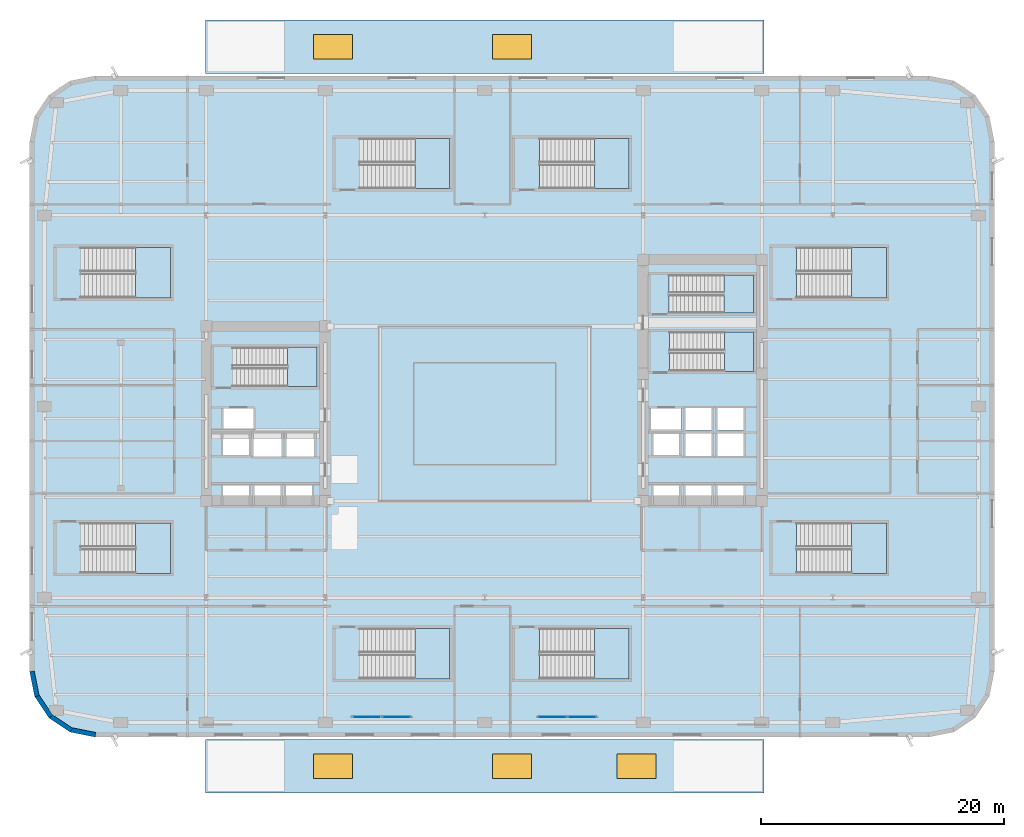
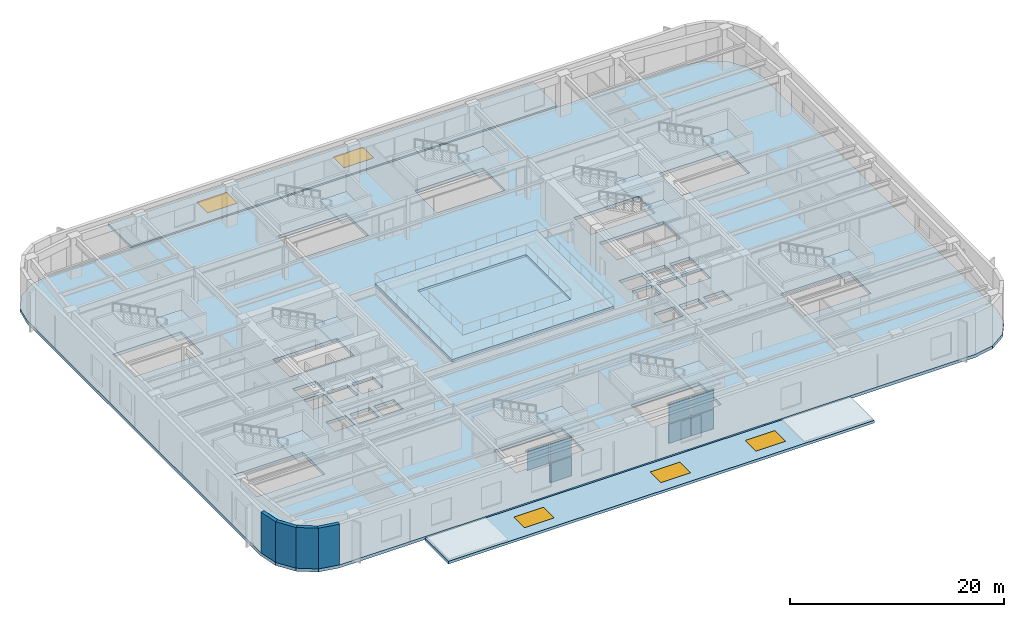
# One storey, part 5 of 24: 15 slabs, 7 plates, 5 windows, 4 walls, 5 openings, 13 elements without a shape of their own.
"""IFC4 building model written with IfcOpenShell, lengths in metres."""

from ifc_helpers import new_model, si_unit, direction, frame, frame_2d, origin, origin_2d, place, context, subcontext, project, spatial, polyline, rectangle, outline, extrude, material, layer, layer_set, type_object, element, fill, aggregate, save


model = new_model("IFC4")

# Units and contexts
model_context = context("Model", 3, precision=1e-05, world=origin(), true_north=direction((0.0, 1.0)))
body_context = subcontext(model_context, "Body", "Model", "MODEL_VIEW")
ifc_project = project(units=[si_unit("LENGTHUNIT", "METRE"), si_unit("AREAUNIT", "SQUARE_METRE"), si_unit("VOLUMEUNIT", "CUBIC_METRE"), si_unit("PLANEANGLEUNIT", "RADIAN"), si_unit("MASSUNIT", "GRAM", prefix="KILO")], contexts=[model_context])

# Site, building, storey
site_placement = place(None, origin())
site = spatial("IfcSite", under=ifc_project, at=site_placement, CompositionType="ELEMENT")
building_placement = place(site_placement, origin())
building = spatial("IfcBuilding", under=site, at=building_placement, Name="Kolvaren Arena Tower", CompositionType="ELEMENT")
storey_placement = place(building_placement, frame((0.0, 0.0, 8.0)))
storey = spatial("IfcBuildingStorey", under=building, at=storey_placement, Name="L01", CompositionType="ELEMENT", Elevation=8.0)

# Curtain wall, plates
ifc_material_1 = material(Name="Anodised aluminium unitised curtain wall", Category="aluminium")
curtain_wall_type = type_object("IfcCurtainWallType", Name="CW-SYS-02", PredefinedType="USERDEFINED", material=ifc_material_1)
curtain_wall_1_placement = place(storey_placement, origin())
curtain_wall_1 = element("IfcCurtainWall", 1, at=curtain_wall_1_placement, inside=storey, type_object=curtain_wall_type, Name="Arena Concourse Grand Portal Curtain Wall (L01)", ObjectType="UNITISED CURTAIN WALL", PredefinedType="USERDEFINED")
ifc_material_2 = material(Name="Laminated acoustic low-E glazing unit", Category="glass")
ifc_layer_1 = layer(ifc_material_2, 0.052001953125)
ifc_layer_set_1 = layer_set([ifc_layer_1], Name="Laminated acoustic low-E glazing unit")
plate_type = type_object("IfcPlateType", Name="CWP-VIS2", PredefinedType="CURTAIN_PANEL", material=ifc_layer_set_1)
plate_1_placement = place(storey_placement, frame((27.77490234375, 1.64990234375, 2.375), z_axis=(0.0, 0.0, 1.0), x_axis=(1.0, 0.0, 0.0)))
plate_1 = element("IfcPlate", 2, at=plate_1_placement, type_object=plate_type, Name="CW2 panel 1.2", PredefinedType="CURTAIN_PANEL", context=body_context, shape_type="SweptSolid", body=[
    extrude(rectangle(XDim=2.35009765625, YDim=0.052001953125, at=origin_2d()), origin(), (0.0, 0.0, 1.0), 2.175048828125),
])
plate_2_placement = place(storey_placement, frame((30.22509765625, 1.64990234375, 0.10009765625), z_axis=(0.0, 0.0, 1.0), x_axis=(1.0, 0.0, 0.0)))
plate_2 = element("IfcPlate", 3, at=plate_2_placement, type_object=plate_type, Name="CW2 panel 2.1", PredefinedType="CURTAIN_PANEL", context=body_context, shape_type="SweptSolid", body=[
    extrude(rectangle(XDim=2.35009765625, YDim=0.052001953125, at=origin_2d()), origin(), (0.0, 0.0, 1.0), 2.175048828125),
])
plate_3_placement = place(storey_placement, frame((30.22509765625, 1.64990234375, 2.375), z_axis=(0.0, 0.0, 1.0), x_axis=(1.0, 0.0, 0.0)))
plate_3 = element("IfcPlate", 4, at=plate_3_placement, type_object=plate_type, Name="CW2 panel 2.2", PredefinedType="CURTAIN_PANEL", context=body_context, shape_type="SweptSolid", body=[
    extrude(rectangle(XDim=2.35009765625, YDim=0.052001953125, at=origin_2d()), origin(), (0.0, 0.0, 1.0), 2.175048828125),
])
aggregate(curtain_wall_1, [plate_1, plate_2, plate_3])

curtain_wall_2_placement = place(storey_placement, origin())
curtain_wall_2 = element("IfcCurtainWall", 5, at=curtain_wall_2_placement, inside=storey, type_object=curtain_wall_type, Name="Arena Concourse Grand Portal Curtain Wall (L01)", ObjectType="UNITISED CURTAIN WALL", PredefinedType="USERDEFINED")
plate_4_placement = place(storey_placement, frame((43.074951171875, 1.64990234375, 0.10009765625), z_axis=(0.0, 0.0, 1.0), x_axis=(1.0, 0.0, 0.0)))
plate_4 = element("IfcPlate", 6, at=plate_4_placement, type_object=plate_type, Name="CW2 panel 1.1", PredefinedType="CURTAIN_PANEL", context=body_context, shape_type="SweptSolid", body=[
    extrude(rectangle(XDim=2.35009765625, YDim=0.052001953125, at=origin_2d()), origin(), (0.0, 0.0, 1.0), 2.175048828125),
])
plate_5_placement = place(storey_placement, frame((43.074951171875, 1.64990234375, 2.375), z_axis=(0.0, 0.0, 1.0), x_axis=(1.0, 0.0, 0.0)))
plate_5 = element("IfcPlate", 7, at=plate_5_placement, type_object=plate_type, Name="CW2 panel 1.2", PredefinedType="CURTAIN_PANEL", context=body_context, shape_type="SweptSolid", body=[
    extrude(rectangle(XDim=2.35009765625, YDim=0.052001953125, at=origin_2d()), origin(), (0.0, 0.0, 1.0), 2.175048828125),
])
plate_6_placement = place(storey_placement, frame((45.52490234375, 1.64990234375, 0.10009765625), z_axis=(0.0, 0.0, 1.0), x_axis=(1.0, 0.0, 0.0)))
plate_6 = element("IfcPlate", 8, at=plate_6_placement, type_object=plate_type, Name="CW2 panel 2.1", PredefinedType="CURTAIN_PANEL", context=body_context, shape_type="SweptSolid", body=[
    extrude(rectangle(XDim=2.35009765625, YDim=0.052001953125, at=origin_2d()), origin(), (0.0, 0.0, 1.0), 2.175048828125),
])
plate_7_placement = place(storey_placement, frame((45.52490234375, 1.64990234375, 2.375), z_axis=(0.0, 0.0, 1.0), x_axis=(1.0, 0.0, 0.0)))
plate_7 = element("IfcPlate", 9, at=plate_7_placement, type_object=plate_type, Name="CW2 panel 2.2", PredefinedType="CURTAIN_PANEL", context=body_context, shape_type="SweptSolid", body=[
    extrude(rectangle(XDim=2.35009765625, YDim=0.052001953125, at=origin_2d()), origin(), (0.0, 0.0, 1.0), 2.175048828125),
])
aggregate(curtain_wall_2, [plate_4, plate_5, plate_6, plate_7])

# Slab, openings, windows
ifc_material_3 = material(Name="Concrete 45 MPa", Category="concrete")
ifc_layer_2 = layer(ifc_material_3, 0.300048828125)
ifc_layer_set_2 = layer_set([ifc_layer_2], Name="Concrete 45 MPa")
slab_type_1 = type_object("IfcSlabType", Name="ROOF-POD", PredefinedType="ROOF", material=ifc_layer_set_2)
slab_1_placement = place(storey_placement, frame((0.0, 0.0, -0.300048828125)))
slab_1 = element("IfcSlab", 10, at=slab_1_placement, inside=storey, type_object=slab_type_1, Name="L00 South Entrance Canopy Slab", PredefinedType="ROOF", context=body_context, shape_type="SweptSolid", body=[
    extrude(outline(polyline([(14.5, -4.60009765625), (60.5, -4.60009765625), (60.5, -0.199951171875), (14.5, -0.199951171875), (14.5, -4.60009765625)])), origin(), (0.0, 0.0, 1.0), 0.300048828125),
])
opening_1_placement = place(slab_1_placement, frame((25.0, -2.39990234375, 0.0)))
opening_1 = element("IfcOpeningElement", 11, at=opening_1_placement, cuts=slab_1, Name="Opening SK1", PredefinedType="OPENING", context=body_context, shape_type="SweptSolid", body=[
    extrude(rectangle(XDim=3.199951171875, YDim=2.0, at=origin_2d()), origin(), (0.0, 0.0, 1.0), 0.300048828125),
])
opening_2_placement = place(slab_1_placement, frame((39.75, -2.39990234375, 0.0)))
opening_2 = element("IfcOpeningElement", 12, at=opening_2_placement, cuts=slab_1, Name="Opening SK1", PredefinedType="OPENING", context=body_context, shape_type="SweptSolid", body=[
    extrude(rectangle(XDim=3.199951171875, YDim=2.0, at=origin_2d()), origin(), (0.0, 0.0, 1.0), 0.300048828125),
])
opening_3_placement = place(slab_1_placement, frame((50.0, -2.39990234375, 0.0)))
opening_3 = element("IfcOpeningElement", 13, at=opening_3_placement, cuts=slab_1, Name="Opening SK1", PredefinedType="OPENING", context=body_context, shape_type="SweptSolid", body=[
    extrude(rectangle(XDim=3.199951171875, YDim=2.0, at=origin_2d()), origin(), (0.0, 0.0, 1.0), 0.300048828125),
])
ifc_material_4 = material(Name="Thermally broken laminated glass skylight", Category="glass")
window_type = type_object("IfcWindowType", Name="SKY-POD-1", PartitioningType="SINGLE_PANEL", PredefinedType="SKYLIGHT", material=ifc_material_4)
window_1_placement = place(opening_1_placement, frame((0.0, 0.0, 0.25)))
window_1 = element("IfcWindow", 14, at=window_1_placement, inside=storey, type_object=window_type, Name="Laminated Glass Roof Skylight 1", OverallHeight=2.0, OverallWidth=3.199951171875, PartitioningType="SINGLE_PANEL", PredefinedType="SKYLIGHT", context=body_context, shape_type="SweptSolid", body=[
    extrude(rectangle(XDim=3.199951171875, YDim=2.0, at=origin_2d()), origin(), (0.0, 0.0, 1.0), 0.050048828125),
])
fill(opening_1, window_1)
window_2_placement = place(opening_2_placement, frame((0.0, 0.0, 0.25)))
window_2 = element("IfcWindow", 15, at=window_2_placement, inside=storey, type_object=window_type, Name="Laminated Glass Roof Skylight 2", OverallHeight=2.0, OverallWidth=3.199951171875, PartitioningType="SINGLE_PANEL", PredefinedType="SKYLIGHT", context=body_context, shape_type="SweptSolid", body=[
    extrude(rectangle(XDim=3.199951171875, YDim=2.0, at=origin_2d()), origin(), (0.0, 0.0, 1.0), 0.050048828125),
])
fill(opening_2, window_2)
window_3_placement = place(opening_3_placement, frame((0.0, 0.0, 0.25)))
window_3 = element("IfcWindow", 16, at=window_3_placement, inside=storey, type_object=window_type, Name="Laminated Glass Roof Skylight 3", OverallHeight=2.0, OverallWidth=3.199951171875, PartitioningType="SINGLE_PANEL", PredefinedType="SKYLIGHT", context=body_context, shape_type="SweptSolid", body=[
    extrude(rectangle(XDim=3.199951171875, YDim=2.0, at=origin_2d()), origin(), (0.0, 0.0, 1.0), 0.050048828125),
])
fill(opening_3, window_3)

slab_2_placement = place(storey_placement, frame((0.0, 0.0, -0.300048828125)))
slab_2 = element("IfcSlab", 17, at=slab_2_placement, inside=storey, type_object=slab_type_1, Name="L00 North Entrance Canopy Slab", PredefinedType="ROOF", context=body_context, shape_type="SweptSolid", body=[
    extrude(outline(polyline([(14.5, 54.699951171875), (60.5, 54.699951171875), (60.5, 59.10009765625), (14.5, 59.10009765625), (14.5, 54.699951171875)])), origin(), (0.0, 0.0, 1.0), 0.300048828125),
])
opening_4_placement = place(slab_2_placement, frame((25.0, 56.89990234375, 0.0)))
opening_4 = element("IfcOpeningElement", 18, at=opening_4_placement, cuts=slab_2, Name="Opening SK1", PredefinedType="OPENING", context=body_context, shape_type="SweptSolid", body=[
    extrude(rectangle(XDim=3.199951171875, YDim=2.0, at=origin_2d()), origin(), (0.0, 0.0, 1.0), 0.300048828125),
])
opening_5_placement = place(slab_2_placement, frame((39.75, 56.89990234375, 0.0)))
opening_5 = element("IfcOpeningElement", 19, at=opening_5_placement, cuts=slab_2, Name="Opening SK1", PredefinedType="OPENING", context=body_context, shape_type="SweptSolid", body=[
    extrude(rectangle(XDim=3.199951171875, YDim=2.0, at=origin_2d()), origin(), (0.0, 0.0, 1.0), 0.300048828125),
])
window_4_placement = place(opening_4_placement, frame((0.0, 0.0, 0.25)))
window_4 = element("IfcWindow", 20, at=window_4_placement, inside=storey, type_object=window_type, Name="Laminated Glass Roof Skylight 4", OverallHeight=2.0, OverallWidth=3.199951171875, PartitioningType="SINGLE_PANEL", PredefinedType="SKYLIGHT", context=body_context, shape_type="SweptSolid", body=[
    extrude(rectangle(XDim=3.199951171875, YDim=2.0, at=origin_2d()), origin(), (0.0, 0.0, 1.0), 0.050048828125),
])
fill(opening_4, window_4)
window_5_placement = place(opening_5_placement, frame((0.0, 0.0, 0.25)))
window_5 = element("IfcWindow", 21, at=window_5_placement, inside=storey, type_object=window_type, Name="Laminated Glass Roof Skylight 5", OverallHeight=2.0, OverallWidth=3.199951171875, PartitioningType="SINGLE_PANEL", PredefinedType="SKYLIGHT", context=body_context, shape_type="SweptSolid", body=[
    extrude(rectangle(XDim=3.199951171875, YDim=2.0, at=origin_2d()), origin(), (0.0, 0.0, 1.0), 0.050048828125),
])
fill(opening_5, window_5)

# Slabs
ifc_material_5 = material(Name="Concrete 50 MPa", Category="concrete")
ifc_layer_3 = layer(ifc_material_5, 0.35009765625)
ifc_layer_set_3 = layer_set([ifc_layer_3], Name="Concrete 50 MPa")
slab_type_2 = type_object("IfcSlabType", Name="SLAB-ARENA", PredefinedType="FLOOR", material=ifc_layer_set_3)
slab_3_placement = place(storey_placement, frame((0.0, 0.0, -0.35009765625)))
element("IfcSlab", 22, at=slab_3_placement, inside=storey, type_object=slab_type_2, Name="L01 Primary Structural Slab", PredefinedType="FLOOR", context=body_context, shape_type="SweptSolid", body=[
    extrude(outline(polyline([(74.10009765625, 0.0), (76.16650390625, 0.4111328125), (77.91845703125, 1.58154296875), (79.0888671875, 3.33349609375), (79.5, 5.39990234375), (79.5, 49.10009765625), (79.0888671875, 51.16650390625), (77.91845703125, 52.91845703125), (76.16650390625, 54.0888671875), (74.10009765625, 54.5), (5.39990234375, 54.5), (3.33349609375, 54.0888671875), (1.58154296875, 52.91845703125), (0.4111328125, 51.16650390625), (0.0, 49.10009765625), (0.0, 5.39990234375), (0.4111328125, 3.33349609375), (1.58154296875, 1.58154296875), (3.33349609375, 0.4111328125), (5.39990234375, 0.0), (74.10009765625, 0.0)]), holes=[polyline([(27.215087890625, 4.800048828125), (27.215087890625, 8.949951171875), (34.60009765625, 8.949951171875), (34.60009765625, 4.800048828125), (27.215087890625, 4.800048828125)]), polyline([(42.014892578125, 8.949951171875), (49.39990234375, 8.949951171875), (49.39990234375, 4.800048828125), (42.014892578125, 4.800048828125), (42.014892578125, 8.949951171875)]), polyline([(4.215087890625, 17.64990234375), (11.60009765625, 17.64990234375), (11.60009765625, 13.5), (4.215087890625, 13.5), (4.215087890625, 17.64990234375)]), polyline([(63.215087890625, 17.64990234375), (70.60009765625, 17.64990234375), (70.60009765625, 13.5), (63.215087890625, 13.5), (63.215087890625, 17.64990234375)]), polyline([(15.93505859375, 19.0849609375), (15.93505859375, 20.81494140625), (18.06494140625, 20.81494140625), (18.06494140625, 19.0849609375), (15.93505859375, 19.0849609375)]), polyline([(18.534912109375, 20.81494140625), (20.6650390625, 20.81494140625), (20.6650390625, 19.0849609375), (18.534912109375, 19.0849609375), (18.534912109375, 20.81494140625)]), polyline([(21.135009765625, 20.81494140625), (23.264892578125, 20.81494140625), (23.264892578125, 19.0849609375), (21.135009765625, 19.0849609375), (21.135009765625, 20.81494140625)]), polyline([(51.39501953125, 20.81494140625), (53.52490234375, 20.81494140625), (53.52490234375, 19.0849609375), (51.39501953125, 19.0849609375), (51.39501953125, 20.81494140625)]), polyline([(54.054931640625, 20.81494140625), (56.18505859375, 20.81494140625), (56.18505859375, 19.0849609375), (54.054931640625, 19.0849609375), (54.054931640625, 20.81494140625)]), polyline([(56.695068359375, 20.81494140625), (58.824951171875, 20.81494140625), (58.824951171875, 19.0849609375), (56.695068359375, 19.0849609375), (56.695068359375, 20.81494140625)]), polyline([(18.4599609375, 25.06494140625), (20.739990234375, 25.06494140625), (20.739990234375, 23.135009765625), (18.4599609375, 23.135009765625), (18.4599609375, 25.06494140625)]), polyline([(21.159912109375, 25.06494140625), (23.43994140625, 25.06494140625), (23.43994140625, 23.135009765625), (21.159912109375, 23.135009765625), (21.159912109375, 25.06494140625)]), polyline([(54.030029296875, 25.014892578125), (56.2099609375, 25.014892578125), (56.2099609375, 23.18505859375), (54.030029296875, 23.18505859375), (54.030029296875, 25.014892578125)]), polyline([(56.669921875, 23.18505859375), (56.669921875, 25.014892578125), (58.85009765625, 25.014892578125), (58.85009765625, 23.18505859375), (56.669921875, 23.18505859375)]), polyline([(15.93505859375, 23.235107421875), (15.93505859375, 24.965087890625), (18.06494140625, 24.965087890625), (18.06494140625, 23.235107421875), (15.93505859375, 23.235107421875)]), polyline([(51.39501953125, 24.965087890625), (53.52490234375, 24.965087890625), (53.52490234375, 23.235107421875), (51.39501953125, 23.235107421875), (51.39501953125, 24.965087890625)]), polyline([(54.030029296875, 27.114990234375), (56.2099609375, 27.114990234375), (56.2099609375, 25.284912109375), (54.030029296875, 25.284912109375), (54.030029296875, 27.114990234375)]), polyline([(56.669921875, 27.114990234375), (58.85009765625, 27.114990234375), (58.85009765625, 25.284912109375), (56.669921875, 25.284912109375), (56.669921875, 27.114990234375)]), polyline([(15.9599609375, 27.06494140625), (18.43994140625, 27.06494140625), (18.43994140625, 25.3349609375), (15.9599609375, 25.3349609375), (15.9599609375, 27.06494140625)]), polyline([(51.219970703125, 27.06494140625), (53.699951171875, 27.06494140625), (53.699951171875, 25.3349609375), (51.219970703125, 25.3349609375), (51.219970703125, 27.06494140625)]), polyline([(16.735107421875, 32.1298828125), (23.659912109375, 32.1298828125), (23.659912109375, 28.89990234375), (16.735107421875, 28.89990234375), (16.735107421875, 32.1298828125)]), polyline([(52.735107421875, 33.3798828125), (59.659912109375, 33.3798828125), (59.659912109375, 30.14990234375), (52.735107421875, 30.14990234375), (52.735107421875, 33.3798828125)]), polyline([(52.695068359375, 38.10009765625), (59.659912109375, 38.10009765625), (59.659912109375, 34.949951171875), (52.695068359375, 34.949951171875), (52.695068359375, 38.10009765625)]), polyline([(4.215087890625, 40.35009765625), (11.60009765625, 40.35009765625), (11.60009765625, 36.199951171875), (4.215087890625, 36.199951171875), (4.215087890625, 40.35009765625)]), polyline([(63.215087890625, 40.35009765625), (70.60009765625, 40.35009765625), (70.60009765625, 36.199951171875), (63.215087890625, 36.199951171875), (63.215087890625, 40.35009765625)]), polyline([(27.215087890625, 49.35009765625), (34.60009765625, 49.35009765625), (34.60009765625, 45.199951171875), (27.215087890625, 45.199951171875), (27.215087890625, 49.35009765625)]), polyline([(42.014892578125, 45.199951171875), (42.014892578125, 49.35009765625), (49.39990234375, 49.35009765625), (49.39990234375, 45.199951171875), (42.014892578125, 45.199951171875)])]), origin(), (0.0, 0.0, 1.0), 0.35009765625),
])
ifc_material_6 = material(Name="Precast concrete C45/55", Category="concrete")
ifc_layer_4 = layer(ifc_material_6, 0.260009765625)
ifc_layer_set_4 = layer_set([ifc_layer_4], Name="Precast concrete C45/55")
slab_type_3 = type_object("IfcSlabType", Name="SLAB-BOWL", PredefinedType="LANDING", material=ifc_layer_set_4)
slab_4_placement = place(storey_placement, frame((0.0, 0.0, 3.18994140625)))
element("IfcSlab", 23, at=slab_4_placement, inside=storey, type_object=slab_type_3, Name="Arena Seating Bowl Tier 1 Precast Terrace", PredefinedType="LANDING", context=body_context, shape_type="SweptSolid", body=[
    extrude(outline(polyline([(28.75, 19.449951171875), (46.25, 19.449951171875), (46.25, 33.85009765625), (28.75, 33.85009765625), (28.75, 19.449951171875)]), holes=[polyline([(31.64990234375, 22.449951171875), (43.35009765625, 22.449951171875), (43.35009765625, 30.85009765625), (31.64990234375, 30.85009765625), (31.64990234375, 22.449951171875)])]), origin(), (0.0, 0.0, 1.0), 0.260009765625),
])

# Stair, slab
stair_type_1 = type_object("IfcStairType", Name="STAIR-CORE-165", PredefinedType="HALF_TURN_STAIR", material=ifc_material_3)
stair_1_placement = place(storey_placement, origin())
stair_1 = element("IfcStair", 24, at=stair_1_placement, inside=storey, type_object=stair_type_1, Name="L01 ST-W1", PredefinedType="HALF_TURN_STAIR")
ifc_layer_5 = layer(ifc_material_3, 0.199951171875)
ifc_layer_set_5 = layer_set([ifc_layer_5], Name="Concrete 45 MPa")
slab_type_4 = type_object("IfcSlabType", Name="SLAB-LAND", PredefinedType="LANDING", material=ifc_layer_set_5)
slab_5_placement = place(storey_placement, frame((0.0, 0.0, 2.300048828125)))
slab_5 = element("IfcSlab", 25, at=slab_5_placement, type_object=slab_type_4, Name="ST-W1 landing 1", PredefinedType="LANDING", context=body_context, shape_type="SweptSolid", body=[
    extrude(outline(polyline([(21.256103515625, 28.89990234375), (23.659912109375, 28.89990234375), (23.659912109375, 32.1298828125), (21.256103515625, 32.1298828125), (21.256103515625, 28.89990234375)])), origin(), (0.0, 0.0, 1.0), 0.199951171875),
])
aggregate(stair_1, [slab_5])

stair_2_placement = place(storey_placement, origin())
stair_2 = element("IfcStair", 26, at=stair_2_placement, inside=storey, type_object=stair_type_1, Name="L01 ST-E1", PredefinedType="HALF_TURN_STAIR")
slab_6_placement = place(storey_placement, frame((0.0, 0.0, 2.300048828125)))
slab_6 = element("IfcSlab", 27, at=slab_6_placement, type_object=slab_type_4, Name="ST-E1 landing 1", PredefinedType="LANDING", context=body_context, shape_type="SweptSolid", body=[
    extrude(outline(polyline([(57.256103515625, 30.14990234375), (59.659912109375, 30.14990234375), (59.659912109375, 33.3798828125), (57.256103515625, 33.3798828125), (57.256103515625, 30.14990234375)])), origin(), (0.0, 0.0, 1.0), 0.199951171875),
])
aggregate(stair_2, [slab_6])

stair_type_2 = type_object("IfcStairType", Name="STAIR-CORE-150", PredefinedType="HALF_TURN_STAIR", material=ifc_material_3)
stair_3_placement = place(storey_placement, origin())
stair_3 = element("IfcStair", 28, at=stair_3_placement, inside=storey, type_object=stair_type_2, Name="L01 ST-E2", PredefinedType="HALF_TURN_STAIR")
slab_7_placement = place(storey_placement, frame((0.0, 0.0, 2.300048828125)))
slab_7 = element("IfcSlab", 29, at=slab_7_placement, type_object=slab_type_4, Name="ST-E2 landing 1", PredefinedType="LANDING", context=body_context, shape_type="SweptSolid", body=[
    extrude(outline(polyline([(57.216064453125, 34.949951171875), (59.659912109375, 34.949951171875), (59.659912109375, 38.10009765625), (57.216064453125, 38.10009765625), (57.216064453125, 34.949951171875)])), origin(), (0.0, 0.0, 1.0), 0.199951171875),
])
aggregate(stair_3, [slab_7])

stair_type_3 = type_object("IfcStairType", Name="STAIR-ARENA-220", PredefinedType="HALF_TURN_STAIR", material=ifc_material_3)
stair_4_placement = place(storey_placement, origin())
stair_4 = element("IfcStair", 30, at=stair_4_placement, inside=storey, type_object=stair_type_3, Name="L01 ST-A1", PredefinedType="HALF_TURN_STAIR")
slab_8_placement = place(storey_placement, frame((0.0, 0.0, 2.300048828125)))
slab_8 = element("IfcSlab", 31, at=slab_8_placement, type_object=slab_type_4, Name="ST-A1 landing 1", PredefinedType="LANDING", context=body_context, shape_type="SweptSolid", body=[
    extrude(outline(polyline([(8.736083984375, 13.5), (11.60009765625, 13.5), (11.60009765625, 17.64990234375), (8.736083984375, 17.64990234375), (8.736083984375, 13.5)])), origin(), (0.0, 0.0, 1.0), 0.199951171875),
])
aggregate(stair_4, [slab_8])

stair_5_placement = place(storey_placement, origin())
stair_5 = element("IfcStair", 32, at=stair_5_placement, inside=storey, type_object=stair_type_3, Name="L01 ST-A2", PredefinedType="HALF_TURN_STAIR")
slab_9_placement = place(storey_placement, frame((0.0, 0.0, 2.300048828125)))
slab_9 = element("IfcSlab", 33, at=slab_9_placement, type_object=slab_type_4, Name="ST-A2 landing 1", PredefinedType="LANDING", context=body_context, shape_type="SweptSolid", body=[
    extrude(outline(polyline([(31.736083984375, 4.800048828125), (34.60009765625, 4.800048828125), (34.60009765625, 8.949951171875), (31.736083984375, 8.949951171875), (31.736083984375, 4.800048828125)])), origin(), (0.0, 0.0, 1.0), 0.199951171875),
])
aggregate(stair_5, [slab_9])

stair_6_placement = place(storey_placement, origin())
stair_6 = element("IfcStair", 34, at=stair_6_placement, inside=storey, type_object=stair_type_3, Name="L01 ST-A3", PredefinedType="HALF_TURN_STAIR")
slab_10_placement = place(storey_placement, frame((0.0, 0.0, 2.300048828125)))
slab_10 = element("IfcSlab", 35, at=slab_10_placement, type_object=slab_type_4, Name="ST-A3 landing 1", PredefinedType="LANDING", context=body_context, shape_type="SweptSolid", body=[
    extrude(outline(polyline([(46.535888671875, 4.800048828125), (49.39990234375, 4.800048828125), (49.39990234375, 8.949951171875), (46.535888671875, 8.949951171875), (46.535888671875, 4.800048828125)])), origin(), (0.0, 0.0, 1.0), 0.199951171875),
])
aggregate(stair_6, [slab_10])

stair_7_placement = place(storey_placement, origin())
stair_7 = element("IfcStair", 36, at=stair_7_placement, inside=storey, type_object=stair_type_3, Name="L01 ST-A4", PredefinedType="HALF_TURN_STAIR")
slab_11_placement = place(storey_placement, frame((0.0, 0.0, 2.300048828125)))
slab_11 = element("IfcSlab", 37, at=slab_11_placement, type_object=slab_type_4, Name="ST-A4 landing 1", PredefinedType="LANDING", context=body_context, shape_type="SweptSolid", body=[
    extrude(outline(polyline([(67.736083984375, 13.5), (70.60009765625, 13.5), (70.60009765625, 17.64990234375), (67.736083984375, 17.64990234375), (67.736083984375, 13.5)])), origin(), (0.0, 0.0, 1.0), 0.199951171875),
])
aggregate(stair_7, [slab_11])

stair_8_placement = place(storey_placement, origin())
stair_8 = element("IfcStair", 38, at=stair_8_placement, inside=storey, type_object=stair_type_3, Name="L01 ST-A5", PredefinedType="HALF_TURN_STAIR")
slab_12_placement = place(storey_placement, frame((0.0, 0.0, 2.300048828125)))
slab_12 = element("IfcSlab", 39, at=slab_12_placement, type_object=slab_type_4, Name="ST-A5 landing 1", PredefinedType="LANDING", context=body_context, shape_type="SweptSolid", body=[
    extrude(outline(polyline([(8.736083984375, 36.199951171875), (11.60009765625, 36.199951171875), (11.60009765625, 40.35009765625), (8.736083984375, 40.35009765625), (8.736083984375, 36.199951171875)])), origin(), (0.0, 0.0, 1.0), 0.199951171875),
])
aggregate(stair_8, [slab_12])

stair_9_placement = place(storey_placement, origin())
stair_9 = element("IfcStair", 40, at=stair_9_placement, inside=storey, type_object=stair_type_3, Name="L01 ST-A6", PredefinedType="HALF_TURN_STAIR")
slab_13_placement = place(storey_placement, frame((0.0, 0.0, 2.300048828125)))
slab_13 = element("IfcSlab", 41, at=slab_13_placement, type_object=slab_type_4, Name="ST-A6 landing 1", PredefinedType="LANDING", context=body_context, shape_type="SweptSolid", body=[
    extrude(outline(polyline([(31.736083984375, 45.199951171875), (34.60009765625, 45.199951171875), (34.60009765625, 49.35009765625), (31.736083984375, 49.35009765625), (31.736083984375, 45.199951171875)])), origin(), (0.0, 0.0, 1.0), 0.199951171875),
])
aggregate(stair_9, [slab_13])

stair_10_placement = place(storey_placement, origin())
stair_10 = element("IfcStair", 42, at=stair_10_placement, inside=storey, type_object=stair_type_3, Name="L01 ST-A7", PredefinedType="HALF_TURN_STAIR")
slab_14_placement = place(storey_placement, frame((0.0, 0.0, 2.300048828125)))
slab_14 = element("IfcSlab", 43, at=slab_14_placement, type_object=slab_type_4, Name="ST-A7 landing 1", PredefinedType="LANDING", context=body_context, shape_type="SweptSolid", body=[
    extrude(outline(polyline([(46.535888671875, 45.199951171875), (49.39990234375, 45.199951171875), (49.39990234375, 49.35009765625), (46.535888671875, 49.35009765625), (46.535888671875, 45.199951171875)])), origin(), (0.0, 0.0, 1.0), 0.199951171875),
])
aggregate(stair_10, [slab_14])

stair_11_placement = place(storey_placement, origin())
stair_11 = element("IfcStair", 44, at=stair_11_placement, inside=storey, type_object=stair_type_3, Name="L01 ST-A8", PredefinedType="HALF_TURN_STAIR")
slab_15_placement = place(storey_placement, frame((0.0, 0.0, 2.300048828125)))
slab_15 = element("IfcSlab", 45, at=slab_15_placement, type_object=slab_type_4, Name="ST-A8 landing 1", PredefinedType="LANDING", context=body_context, shape_type="SweptSolid", body=[
    extrude(outline(polyline([(67.736083984375, 36.199951171875), (70.60009765625, 36.199951171875), (70.60009765625, 40.35009765625), (67.736083984375, 40.35009765625), (67.736083984375, 36.199951171875)])), origin(), (0.0, 0.0, 1.0), 0.199951171875),
])
aggregate(stair_11, [slab_15])

# Walls
ifc_material_7 = material(Name="Precast concrete C50/60", Category="concrete")
ifc_layer_6 = layer(ifc_material_7, 0.3798828125)
ifc_layer_set_6 = layer_set([ifc_layer_6], Name="Precast concrete C50/60")
wall_type = type_object("IfcWallType", Name="EXT-ARENA", PredefinedType="SOLIDWALL", material=ifc_layer_set_6)
for number, where, z_axis, x_axis, name in (
    (46, (0.597412109375, 3.37060546875, 0.0), (0.0, 0.0, 1.0), (-0.195135546048, 0.9807762837, 0.0), "Exterior Precast Masonry-Frame Wall (L01)"),
    (47, (1.739501953125, 1.687255859375, 0.0), (0.0, 0.0, 1.0), (-0.555502146192, 0.831515102434, 0.0), "Exterior Precast Masonry-Frame Wall (L01)"),
    (48, (3.439208984375, 0.569091796875, 0.0), (0.0, 0.0, 1.0), (-0.831515102434, 0.555502146192, 0.0), "Exterior Precast Masonry-Frame Wall (L01)"),
    (49, (5.43701171875, 0.186279296875, 0.0), (0.0, 0.0, 1.0), (-0.9807762837, 0.195135546048, 0.0), "Exterior Precast Masonry-Frame Wall (L01)"),
):
    element("IfcWall", number, at=place(storey_placement, frame(where, z_axis=z_axis, x_axis=x_axis)), inside=storey, type_object=wall_type, Name=name, PredefinedType="SOLIDWALL", context=body_context, shape_type="SweptSolid", body=[
        extrude(rectangle(XDim=2.10693359375, YDim=0.3798828125, at=frame_2d((1.053466796875, 0.0))), origin(), (0.0, 0.0, 1.0), 4.64990234375),
    ])

save(model, "model.ifc")
